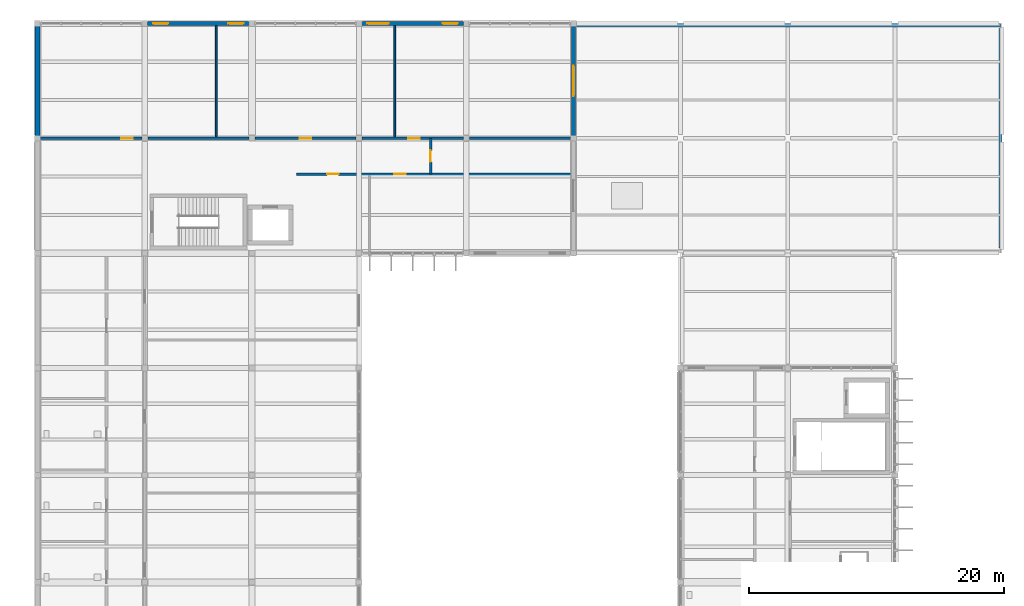
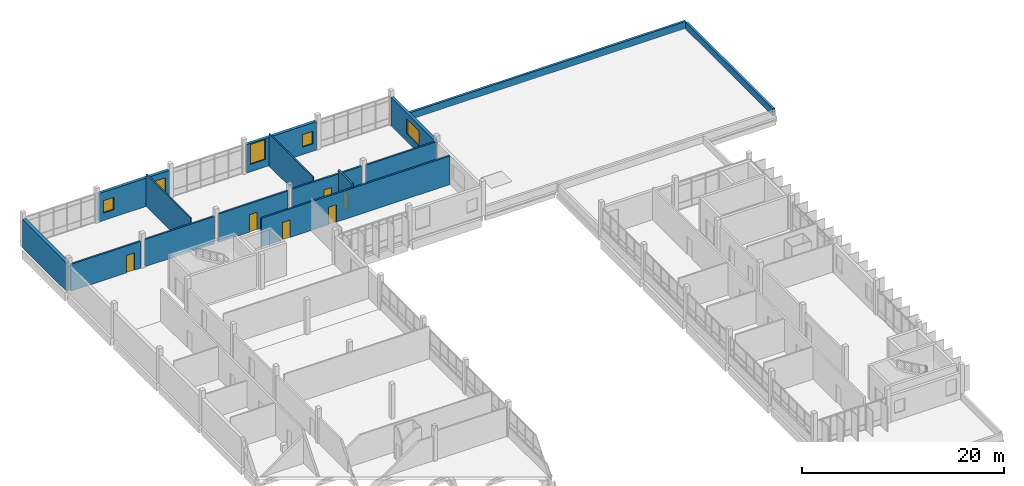
# One storey, part 54 of 62: 15 walls, 6 doors, 5 windows, 11 openings.
"""IFC4 building model written with IfcOpenShell, lengths in metres."""

from ifc_helpers import new_model, si_unit, direction, frame, frame_2d, origin, place, context, subcontext, project, spatial, rectangle, extrude, material, layer, layer_set, type_object, element, fill, save


model = new_model("IFC4")

# Units and contexts
model_context = context("Model", 3, precision=1e-05, world=origin(), true_north=direction((0.0, 1.0)))
body_context = subcontext(model_context, "Body", "Model", "MODEL_VIEW")
ifc_project = project(units=[si_unit("LENGTHUNIT", "METRE"), si_unit("AREAUNIT", "SQUARE_METRE"), si_unit("VOLUMEUNIT", "CUBIC_METRE"), si_unit("PLANEANGLEUNIT", "RADIAN"), si_unit("MASSUNIT", "GRAM", prefix="KILO")], contexts=[model_context])

# Site, building, storey
site_placement = place(None, origin())
site = spatial("IfcSite", under=ifc_project, at=site_placement, CompositionType="ELEMENT")
building_placement = place(site_placement, origin())
building = spatial("IfcBuilding", under=site, at=building_placement, Name="Vireocrest Preparatory School", CompositionType="ELEMENT")
storey_placement = place(building_placement, frame((0.0, 0.0, 17.39990234375)))
storey = spatial("IfcBuildingStorey", under=building, at=storey_placement, Name="L04", CompositionType="ELEMENT", Elevation=17.39990234375)

# Walls
ifc_material_1 = material(Name="Gypsum board on cold-formed steel studs", Category="steel")
ifc_layer_1 = layer(ifc_material_1, 0.139892578125)
ifc_layer_set_1 = layer_set([ifc_layer_1], Name="Gypsum board on cold-formed steel studs")
wall_type_1 = type_object("IfcWallType", Name="Classroom Acoustic Partition Wall 140", PredefinedType="PARTITIONING", material=ifc_layer_set_1)
for number, where, z_axis, x_axis, name in (
    (1, (56.0, 103.905029296875, 0.0), (0.0, 0.0, 1.0), (0.0, 1.0, 0.0), "Interior Partition W03 IW_L04_0307"),
    (2, (70.0, 103.905029296875, 0.0), (0.0, 0.0, 1.0), (0.0, 1.0, 0.0), "Interior Partition W03 IW_L04_0308"),
):
    element("IfcWall", number, at=place(storey_placement, frame(where, z_axis=z_axis, x_axis=x_axis)), inside=storey, type_object=wall_type_1, Name=name, PredefinedType="PARTITIONING", context=body_context, shape_type="SweptSolid", body=[
        extrude(rectangle(XDim=8.72998046875, YDim=0.139892578125, at=frame_2d((4.364990234375, 0.0))), origin(), (0.0, 0.0, 1.0), 3.900146484375),
    ])

# Wall, opening, door
ifc_layer_2 = layer(ifc_material_1, 0.199951171875)
ifc_layer_set_2 = layer_set([ifc_layer_2], Name="Gypsum board on cold-formed steel studs")
wall_type_2 = type_object("IfcWallType", Name="Corridor One-Hour Fire Partition 200", PredefinedType="PARTITIONING", material=ifc_layer_set_2)
wall_1_placement = place(storey_placement, frame((72.800048828125, 101.010009765625, 0.0), z_axis=(0.0, 0.0, 1.0), x_axis=(0.0, 1.0, 0.0)))
wall_1 = element("IfcWall", 3, at=wall_1_placement, inside=storey, type_object=wall_type_2, Name="Interior Partition W06 IW_L04_0306", PredefinedType="PARTITIONING", context=body_context, shape_type="SweptSolid", body=[
    extrude(rectangle(XDim=2.780029296875, YDim=0.199951171875, at=frame_2d((1.39013671875, 0.0))), origin(), (0.0, 0.0, 1.0), 3.900146484375),
])
opening_1_placement = place(wall_1_placement, frame((0.93994140625, 0.0, 0.0)))
opening_1 = element("IfcOpeningElement", 4, at=opening_1_placement, cuts=wall_1, Name="Opening D-L04-NCEND", PredefinedType="OPENING", context=body_context, shape_type="SweptSolid", body=[
    extrude(rectangle(XDim=0.89990234375, YDim=2.10009765625, at=frame_2d((0.449951171875, 1.050048828125))), frame((0.0, 0.10986328125, 0.0), z_axis=(0.0, -1.0, 0.0), x_axis=(1.0, 0.0, 0.0)), (0.0, 0.0, 1.0), 0.219970703125),
])
ifc_material_2 = material(Name="Solid-core architectural birch timber", Category="wood")
door_type = type_object("IfcDoorType", Name="Office Timber Door 900x2100", OperationType="NOTDEFINED", PredefinedType="DOOR", material=ifc_material_2)
door_1_placement = place(opening_1_placement, origin())
door_1 = element("IfcDoor", 5, at=door_1_placement, inside=storey, type_object=door_type, Name="Interior Door D-L04-NCEND", OperationType="SINGLE_SWING_LEFT", OverallHeight=2.10009765625, OverallWidth=0.89990234375, PredefinedType="DOOR", context=body_context, shape_type="SweptSolid", body=[
    extrude(rectangle(XDim=0.89990234375, YDim=2.10009765625, at=frame_2d((0.449951171875, 1.050048828125))), frame((0.0, 0.02490234375, 0.0), z_axis=(0.0, -1.0, 0.0), x_axis=(1.0, 0.0, 0.0)), (0.0, 0.0, 1.0), 0.050048828125),
])
fill(opening_1, door_1)

wall_2_placement = place(storey_placement, frame((42.195068359375, 103.800048828125, 0.0), z_axis=(0.0, 0.0, 1.0), x_axis=(1.0, 0.0, 0.0)))
wall_2 = element("IfcWall", 6, at=wall_2_placement, inside=storey, type_object=wall_type_2, Name="Interior Partition W06 IW_L04_0309", PredefinedType="PARTITIONING", context=body_context, shape_type="SweptSolid", body=[
    extrude(rectangle(XDim=7.969970703125, YDim=0.199951171875, at=frame_2d((3.98486328125, 0.0))), origin(), (0.0, 0.0, 1.0), 3.239990234375),
])
opening_2_placement = place(wall_2_placement, frame((6.35498046875, 0.0, 0.0)))
opening_2 = element("IfcOpeningElement", 7, at=opening_2_placement, cuts=wall_2, Name="Opening D-L04-N4N01", PredefinedType="OPENING", context=body_context, shape_type="SweptSolid", body=[
    extrude(rectangle(XDim=0.89990234375, YDim=2.10009765625, at=frame_2d((0.449951171875, 1.050048828125))), frame((0.0, 0.10986328125, 0.0), z_axis=(0.0, -1.0, 0.0), x_axis=(1.0, 0.0, 0.0)), (0.0, 0.0, 1.0), 0.219970703125),
])
door_2_placement = place(opening_2_placement, origin())
door_2 = element("IfcDoor", 8, at=door_2_placement, inside=storey, type_object=door_type, Name="Interior Door D-L04-N4N01", OperationType="SINGLE_SWING_RIGHT", OverallHeight=2.10009765625, OverallWidth=0.89990234375, PredefinedType="DOOR", context=body_context, shape_type="SweptSolid", body=[
    extrude(rectangle(XDim=0.89990234375, YDim=2.10009765625, at=frame_2d((0.449951171875, 1.050048828125))), frame((0.0, 0.02490234375, 0.0), z_axis=(0.0, -1.0, 0.0), x_axis=(1.0, 0.0, 0.0)), (0.0, 0.0, 1.0), 0.050048828125),
])
fill(opening_2, door_2)

# Wall
wall_3_placement = place(storey_placement, frame((50.635009765625, 103.800048828125, 0.0), z_axis=(0.0, 0.0, 1.0), x_axis=(1.0, 0.0, 0.0)))
element("IfcWall", 9, at=wall_3_placement, inside=storey, type_object=wall_type_2, Name="Interior Partition W06 IW_L04_0310", PredefinedType="PARTITIONING", context=body_context, shape_type="SweptSolid", body=[
    extrude(rectangle(XDim=7.929931640625, YDim=0.199951171875, at=frame_2d((3.96484375, 0.0))), origin(), (0.0, 0.0, 1.0), 3.2900390625),
])

# Wall, opening, door
wall_4_placement = place(storey_placement, frame((59.034912109375, 103.800048828125, 0.0), z_axis=(0.0, 0.0, 1.0), x_axis=(1.0, 0.0, 0.0)))
wall_4 = element("IfcWall", 10, at=wall_4_placement, inside=storey, type_object=wall_type_2, Name="Interior Partition W06 IW_L04_0311", PredefinedType="PARTITIONING", context=body_context, shape_type="SweptSolid", body=[
    extrude(rectangle(XDim=7.93017578125, YDim=0.199951171875, at=frame_2d((3.965087890625, 0.0))), origin(), (0.0, 0.0, 1.0), 3.43017578125),
])
opening_3_placement = place(wall_4_placement, frame((3.514892578125, 0.0, 0.0)))
opening_3 = element("IfcOpeningElement", 11, at=opening_3_placement, cuts=wall_4, Name="Opening D-L04-N4N02", PredefinedType="OPENING", context=body_context, shape_type="SweptSolid", body=[
    extrude(rectangle(XDim=0.89990234375, YDim=2.10009765625, at=frame_2d((0.449951171875, 1.050048828125))), frame((0.0, 0.10986328125, 0.0), z_axis=(0.0, -1.0, 0.0), x_axis=(1.0, 0.0, 0.0)), (0.0, 0.0, 1.0), 0.219970703125),
])
door_3_placement = place(opening_3_placement, origin())
door_3 = element("IfcDoor", 12, at=door_3_placement, inside=storey, type_object=door_type, Name="Interior Door D-L04-N4N02", OperationType="SINGLE_SWING_LEFT", OverallHeight=2.10009765625, OverallWidth=0.89990234375, PredefinedType="DOOR", context=body_context, shape_type="SweptSolid", body=[
    extrude(rectangle(XDim=0.89990234375, YDim=2.10009765625, at=frame_2d((0.449951171875, 1.050048828125))), frame((0.0, 0.02490234375, 0.0), z_axis=(0.0, -1.0, 0.0), x_axis=(1.0, 0.0, 0.0)), (0.0, 0.0, 1.0), 0.050048828125),
])
fill(opening_3, door_3)

wall_5_placement = place(storey_placement, frame((67.43505859375, 103.800048828125, 0.0), z_axis=(0.0, 0.0, 1.0), x_axis=(1.0, 0.0, 0.0)))
wall_5 = element("IfcWall", 13, at=wall_5_placement, inside=storey, type_object=wall_type_2, Name="Interior Partition W06 IW_L04_0312", PredefinedType="PARTITIONING", context=body_context, shape_type="SweptSolid", body=[
    extrude(rectangle(XDim=7.929931640625, YDim=0.199951171875, at=frame_2d((3.96484375, 0.0))), origin(), (0.0, 0.0, 1.0), 3.47998046875),
])
opening_4_placement = place(wall_5_placement, frame((3.614990234375, 0.0, 0.0)))
opening_4 = element("IfcOpeningElement", 14, at=opening_4_placement, cuts=wall_5, Name="Opening D-L04-N4N03", PredefinedType="OPENING", context=body_context, shape_type="SweptSolid", body=[
    extrude(rectangle(XDim=0.89990234375, YDim=2.10009765625, at=frame_2d((0.449951171875, 1.050048828125))), frame((0.0, 0.10986328125, 0.0), z_axis=(0.0, -1.0, 0.0), x_axis=(1.0, 0.0, 0.0)), (0.0, 0.0, 1.0), 0.219970703125),
])
door_4_placement = place(opening_4_placement, origin())
door_4 = element("IfcDoor", 15, at=door_4_placement, inside=storey, type_object=door_type, Name="Interior Door D-L04-N4N03", OperationType="SINGLE_SWING_RIGHT", OverallHeight=2.10009765625, OverallWidth=0.89990234375, PredefinedType="DOOR", context=body_context, shape_type="SweptSolid", body=[
    extrude(rectangle(XDim=0.89990234375, YDim=2.10009765625, at=frame_2d((0.449951171875, 1.050048828125))), frame((0.0, 0.02490234375, 0.0), z_axis=(0.0, -1.0, 0.0), x_axis=(1.0, 0.0, 0.0)), (0.0, 0.0, 1.0), 0.050048828125),
])
fill(opening_4, door_4)

# Wall
wall_6_placement = place(storey_placement, frame((75.8349609375, 103.800048828125, 0.0), z_axis=(0.0, 0.0, 1.0), x_axis=(1.0, 0.0, 0.0)))
element("IfcWall", 16, at=wall_6_placement, inside=storey, type_object=wall_type_2, Name="Interior Partition W06 IW_L04_0313", PredefinedType="PARTITIONING", context=body_context, shape_type="SweptSolid", body=[
    extrude(rectangle(XDim=8.0, YDim=0.199951171875, at=frame_2d((4.0, 0.0))), origin(), (0.0, 0.0, 1.0), 3.43017578125),
])

# Wall, openings, doors
wall_7_placement = place(storey_placement, frame((62.31005859375, 101.0, 0.0), z_axis=(0.0, 0.0, 1.0), x_axis=(1.0, 0.0, 0.0)))
wall_7 = element("IfcWall", 17, at=wall_7_placement, inside=storey, type_object=wall_type_2, Name="Interior Partition W06 IW_L04_0315", PredefinedType="PARTITIONING", context=body_context, shape_type="SweptSolid", body=[
    extrude(rectangle(XDim=21.52490234375, YDim=0.199951171875, at=frame_2d((10.762451171875, 0.0))), origin(), (0.0, 0.0, 1.0), 3.451171875),
])
opening_5_placement = place(wall_7_placement, frame((2.389892578125, 0.0, 0.0)))
opening_5 = element("IfcOpeningElement", 18, at=opening_5_placement, cuts=wall_7, Name="Opening D-L04-N4S01", PredefinedType="OPENING", context=body_context, shape_type="SweptSolid", body=[
    extrude(rectangle(XDim=0.89990234375, YDim=2.10009765625, at=frame_2d((0.449951171875, 1.050048828125))), frame((0.0, 0.10986328125, 0.0), z_axis=(0.0, -1.0, 0.0), x_axis=(1.0, 0.0, 0.0)), (0.0, 0.0, 1.0), 0.219970703125),
])
opening_6_placement = place(wall_7_placement, frame((7.639892578125, 0.0, 0.0)))
opening_6 = element("IfcOpeningElement", 19, at=opening_6_placement, cuts=wall_7, Name="Opening D-L04-N4S02", PredefinedType="OPENING", context=body_context, shape_type="SweptSolid", body=[
    extrude(rectangle(XDim=0.89990234375, YDim=2.10009765625, at=frame_2d((0.449951171875, 1.050048828125))), frame((0.0, 0.10986328125, 0.0), z_axis=(0.0, -1.0, 0.0), x_axis=(1.0, 0.0, 0.0)), (0.0, 0.0, 1.0), 0.219970703125),
])
door_5_placement = place(opening_5_placement, origin())
door_5 = element("IfcDoor", 20, at=door_5_placement, inside=storey, type_object=door_type, Name="Interior Door D-L04-N4S01", OperationType="SINGLE_SWING_LEFT", OverallHeight=2.10009765625, OverallWidth=0.89990234375, PredefinedType="DOOR", context=body_context, shape_type="SweptSolid", body=[
    extrude(rectangle(XDim=0.89990234375, YDim=2.10009765625, at=frame_2d((0.449951171875, 1.050048828125))), frame((0.0, 0.02490234375, 0.0), z_axis=(0.0, -1.0, 0.0), x_axis=(1.0, 0.0, 0.0)), (0.0, 0.0, 1.0), 0.050048828125),
])
fill(opening_5, door_5)
door_6_placement = place(opening_6_placement, origin())
door_6 = element("IfcDoor", 21, at=door_6_placement, inside=storey, type_object=door_type, Name="Interior Door D-L04-N4S02", OperationType="SINGLE_SWING_RIGHT", OverallHeight=2.10009765625, OverallWidth=0.89990234375, PredefinedType="DOOR", context=body_context, shape_type="SweptSolid", body=[
    extrude(rectangle(XDim=0.89990234375, YDim=2.10009765625, at=frame_2d((0.449951171875, 1.050048828125))), frame((0.0, 0.02490234375, 0.0), z_axis=(0.0, -1.0, 0.0), x_axis=(1.0, 0.0, 0.0)), (0.0, 0.0, 1.0), 0.050048828125),
])
fill(opening_6, door_6)

# Wall, opening, window
ifc_material_3 = material(Name="Precast white concrete 40 MPa", Category="concrete")
ifc_layer_3 = layer(ifc_material_3, 0.320068359375)
ifc_layer_set_3 = layer_set([ifc_layer_3], Name="Precast white concrete 40 MPa")
wall_type_3 = type_object("IfcWallType", Name="High-Tech Insulated Rainscreen External Wall 320", PredefinedType="SOLIDWALL", material=ifc_layer_set_3)
wall_8_placement = place(storey_placement, frame((84.0, 104.0, 0.0), z_axis=(0.0, 0.0, 1.0), x_axis=(0.0, 1.0, 0.0)))
wall_8 = element("IfcWall", 22, at=wall_8_placement, inside=storey, type_object=wall_type_3, Name="External Wall W12 EW_L04_0359", PredefinedType="SOLIDWALL", context=body_context, shape_type="SweptSolid", body=[
    extrude(rectangle(XDim=8.60009765625, YDim=0.320068359375, at=frame_2d((4.300048828125, 0.0))), origin(), (0.0, 0.0, 1.0), 3.43017578125),
])
opening_7_placement = place(wall_8_placement, frame((3.10009765625, 0.0, 0.89990234375)))
opening_7 = element("IfcOpeningElement", 23, at=opening_7_placement, cuts=wall_8, Name="Opening WN12", PredefinedType="OPENING", context=body_context, shape_type="SweptSolid", body=[
    extrude(rectangle(XDim=2.39990234375, YDim=1.800048828125, at=frame_2d((1.199951171875, 0.89990234375))), frame((0.0, 0.169921875, 0.0), z_axis=(0.0, -1.0, 0.0), x_axis=(1.0, 0.0, 0.0)), (0.0, 0.0, 1.0), 0.340087890625),
])
ifc_material_4 = material(Name="Thermally broken aluminium EN AW-6063-T6", Category="aluminium")
window_type_1 = type_object("IfcWindowType", Name="Classroom Paired Window 2400x1800", PartitioningType="DOUBLE_PANEL_VERTICAL", PredefinedType="WINDOW", material=ifc_material_4)
window_1_placement = place(opening_7_placement, origin())
window_1 = element("IfcWindow", 24, at=window_1_placement, inside=storey, type_object=window_type_1, Name="Window W-L04-182 (WN12)", OverallHeight=1.800048828125, OverallWidth=2.39990234375, PartitioningType="SINGLE_PANEL", PredefinedType="WINDOW", context=body_context, shape_type="SweptSolid", body=[
    extrude(rectangle(XDim=2.39990234375, YDim=1.800048828125, at=frame_2d((1.199951171875, 0.89990234375))), frame((0.0, 0.030029296875, 0.0), z_axis=(0.0, -1.0, 0.0), x_axis=(1.0, 0.0, 0.0)), (0.0, 0.0, 1.0), 0.06005859375),
])
fill(opening_7, window_1)

# Wall, openings, windows
wall_9_placement = place(storey_placement, frame((50.60009765625, 112.800048828125, 0.0), z_axis=(0.0, 0.0, 1.0), x_axis=(1.0, 0.0, 0.0)))
wall_9 = element("IfcWall", 25, at=wall_9_placement, inside=storey, type_object=wall_type_3, Name="External Wall W12 EW_L04_0361", PredefinedType="SOLIDWALL", context=body_context, shape_type="SweptSolid", body=[
    extrude(rectangle(XDim=8.0, YDim=0.320068359375, at=frame_2d((4.0, 0.0))), origin(), (0.0, 0.0, 1.0), 3.43017578125),
])
opening_8_placement = place(wall_9_placement, frame((0.449951171875, 0.0, 0.89990234375)))
opening_8 = element("IfcOpeningElement", 26, at=opening_8_placement, cuts=wall_9, Name="Opening WN01", PredefinedType="OPENING", context=body_context, shape_type="SweptSolid", body=[
    extrude(rectangle(XDim=1.199951171875, YDim=1.5, at=frame_2d((0.60009765625, 0.75))), frame((0.0, 0.169921875, 0.0), z_axis=(0.0, -1.0, 0.0), x_axis=(1.0, 0.0, 0.0)), (0.0, 0.0, 1.0), 0.340087890625),
])
opening_9_placement = place(wall_9_placement, frame((6.35009765625, 0.0, 0.89990234375)))
opening_9 = element("IfcOpeningElement", 27, at=opening_9_placement, cuts=wall_9, Name="Opening WN02", PredefinedType="OPENING", context=body_context, shape_type="SweptSolid", body=[
    extrude(rectangle(XDim=1.199951171875, YDim=1.800048828125, at=frame_2d((0.60009765625, 0.89990234375))), frame((0.0, 0.169921875, 0.0), z_axis=(0.0, -1.0, 0.0), x_axis=(1.0, 0.0, 0.0)), (0.0, 0.0, 1.0), 0.340087890625),
])
window_type_2 = type_object("IfcWindowType", Name="Counseling Window 1200x1800", PartitioningType="SINGLE_PANEL", PredefinedType="WINDOW", material=ifc_material_4)
window_2_placement = place(opening_9_placement, origin())
window_2 = element("IfcWindow", 28, at=window_2_placement, inside=storey, type_object=window_type_2, Name="Window W-L04-184 (WN02)", OverallHeight=1.800048828125, OverallWidth=1.199951171875, PartitioningType="SINGLE_PANEL", PredefinedType="WINDOW", context=body_context, shape_type="SweptSolid", body=[
    extrude(rectangle(XDim=1.199951171875, YDim=1.800048828125, at=frame_2d((0.60009765625, 0.89990234375))), frame((0.0, 0.030029296875, 0.0), z_axis=(0.0, -1.0, 0.0), x_axis=(1.0, 0.0, 0.0)), (0.0, 0.0, 1.0), 0.06005859375),
])
fill(opening_9, window_2)
window_type_3 = type_object("IfcWindowType", Name="Office Punched Window 1200x1500", PartitioningType="SINGLE_PANEL", PredefinedType="WINDOW", material=ifc_material_4)
window_3_placement = place(opening_8_placement, origin())
window_3 = element("IfcWindow", 29, at=window_3_placement, inside=storey, type_object=window_type_3, Name="Window W-L04-183 (WN01)", OverallHeight=1.5, OverallWidth=1.199951171875, PartitioningType="SINGLE_PANEL", PredefinedType="WINDOW", context=body_context, shape_type="SweptSolid", body=[
    extrude(rectangle(XDim=1.199951171875, YDim=1.5, at=frame_2d((0.60009765625, 0.75))), frame((0.0, 0.030029296875, 0.0), z_axis=(0.0, -1.0, 0.0), x_axis=(1.0, 0.0, 0.0)), (0.0, 0.0, 1.0), 0.06005859375),
])
fill(opening_8, window_3)

wall_10_placement = place(storey_placement, frame((67.39990234375, 112.800048828125, 0.0), z_axis=(0.0, 0.0, 1.0), x_axis=(1.0, 0.0, 0.0)))
wall_10 = element("IfcWall", 30, at=wall_10_placement, inside=storey, type_object=wall_type_3, Name="External Wall W12 EW_L04_0363", PredefinedType="SOLIDWALL", context=body_context, shape_type="SweptSolid", body=[
    extrude(rectangle(XDim=8.0, YDim=0.320068359375, at=frame_2d((4.0, 0.0))), origin(), (0.0, 0.0, 1.0), 3.43017578125),
])
opening_10_placement = place(wall_10_placement, frame((0.449951171875, 0.0, 0.89990234375)))
opening_10 = element("IfcOpeningElement", 31, at=opening_10_placement, cuts=wall_10, Name="Opening WN07", PredefinedType="OPENING", context=body_context, shape_type="SweptSolid", body=[
    extrude(rectangle(XDim=1.679931640625, YDim=2.39990234375, at=frame_2d((0.83984375, 1.199951171875))), frame((0.0, 0.169921875, 0.0), z_axis=(0.0, -1.0, 0.0), x_axis=(1.0, 0.0, 0.0)), (0.0, 0.0, 1.0), 0.340087890625),
])
opening_11_placement = place(wall_10_placement, frame((6.35009765625, 0.0, 0.89990234375)))
opening_11 = element("IfcOpeningElement", 32, at=opening_11_placement, cuts=wall_10, Name="Opening WN01", PredefinedType="OPENING", context=body_context, shape_type="SweptSolid", body=[
    extrude(rectangle(XDim=1.199951171875, YDim=1.5, at=frame_2d((0.60009765625, 0.75))), frame((0.0, 0.169921875, 0.0), z_axis=(0.0, -1.0, 0.0), x_axis=(1.0, 0.0, 0.0)), (0.0, 0.0, 1.0), 0.340087890625),
])
window_type_4 = type_object("IfcWindowType", Name="Module Lab Window 1680x2400", PartitioningType="SINGLE_PANEL", PredefinedType="WINDOW", material=ifc_material_4)
window_4_placement = place(opening_10_placement, origin())
window_4 = element("IfcWindow", 33, at=window_4_placement, inside=storey, type_object=window_type_4, Name="Window W-L04-185 (WN07)", OverallHeight=2.39990234375, OverallWidth=1.679931640625, PartitioningType="SINGLE_PANEL", PredefinedType="WINDOW", context=body_context, shape_type="SweptSolid", body=[
    extrude(rectangle(XDim=1.679931640625, YDim=2.39990234375, at=frame_2d((0.83984375, 1.199951171875))), frame((0.0, 0.030029296875, 0.0), z_axis=(0.0, -1.0, 0.0), x_axis=(1.0, 0.0, 0.0)), (0.0, 0.0, 1.0), 0.06005859375),
])
fill(opening_10, window_4)
window_5_placement = place(opening_11_placement, origin())
window_5 = element("IfcWindow", 34, at=window_5_placement, inside=storey, type_object=window_type_3, Name="Window W-L04-186 (WN01)", OverallHeight=1.5, OverallWidth=1.199951171875, PartitioningType="SINGLE_PANEL", PredefinedType="WINDOW", context=body_context, shape_type="SweptSolid", body=[
    extrude(rectangle(XDim=1.199951171875, YDim=1.5, at=frame_2d((0.60009765625, 0.75))), frame((0.0, 0.030029296875, 0.0), z_axis=(0.0, -1.0, 0.0), x_axis=(1.0, 0.0, 0.0)), (0.0, 0.0, 1.0), 0.06005859375),
])
fill(opening_11, window_5)

# Walls
ifc_layer_4 = layer(ifc_material_3, 0.260009765625)
ifc_layer_set_4 = layer_set([ifc_layer_4], Name="Precast white concrete 40 MPa")
wall_type_4 = type_object("IfcWallType", Name="Insulated Roof Parapet Wall 260", PredefinedType="PARAPET", material=ifc_layer_set_4)
wall_11_placement = place(storey_placement, frame((84.1298828125, 112.669921875, 0.0), z_axis=(0.0, 0.0, 1.0), x_axis=(1.0, 0.0, 0.0)))
element("IfcWall", 35, at=wall_11_placement, inside=storey, type_object=wall_type_4, Name="Roof Parapet W09 L04_NORTH_EAST_ROOF-24", PredefinedType="PARAPET", context=body_context, shape_type="SweptSolid", body=[
    extrude(rectangle(XDim=33.340087890625, YDim=0.260009765625, at=frame_2d((16.669921875, 0.0))), origin(), (0.0, 0.0, 1.0), 0.85009765625),
])
wall_12_placement = place(storey_placement, frame((117.469970703125, 95.18994140625, 0.0), z_axis=(0.0, 0.0, 1.0), x_axis=(0.0, 1.0, 0.0)))
element("IfcWall", 36, at=wall_12_placement, inside=storey, type_object=wall_type_4, Name="Roof Parapet W09 L04_NORTH_EAST_ROOF-25", PredefinedType="PARAPET", context=body_context, shape_type="SweptSolid", body=[
    extrude(rectangle(XDim=17.219970703125, YDim=0.260009765625, at=frame_2d((8.60986328125, 0.0))), origin(), (0.0, 0.0, 1.0), 0.85009765625),
])
ifc_material_5 = material(Name="Concrete 45 MPa", Category="concrete")
ifc_layer_5 = layer(ifc_material_5, 0.3798828125)
ifc_layer_set_5 = layer_set([ifc_layer_5], Name="Concrete 45 MPa")
wall_type_5 = type_object("IfcWallType", Name="Two-Hour RC Lot-Line Shear Wall 380", PredefinedType="SHEAR", material=ifc_layer_set_5)
wall_13_placement = place(storey_placement, frame((42.0, 104.0, 0.0), z_axis=(0.0, 0.0, 1.0), x_axis=(0.0, 1.0, 0.0)))
element("IfcWall", 37, at=wall_13_placement, inside=storey, type_object=wall_type_5, Name="External Wall PW1 PARTY_L04_0366", PredefinedType="SHEAR", context=body_context, shape_type="SweptSolid", body=[
    extrude(rectangle(XDim=8.60009765625, YDim=0.3798828125, at=frame_2d((4.300048828125, 0.0))), origin(), (0.0, 0.0, 1.0), 3.43017578125),
])

save(model, "model.ifc")
